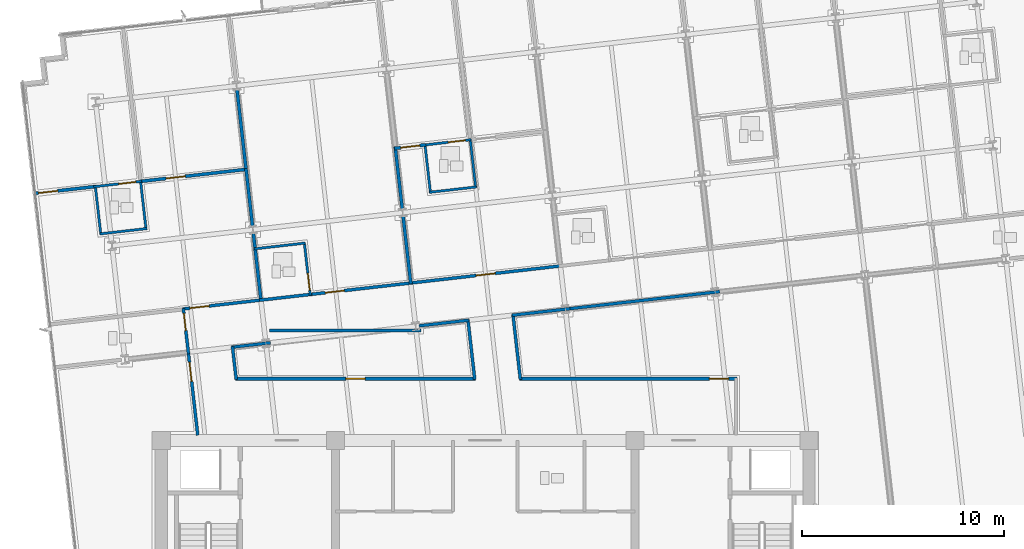
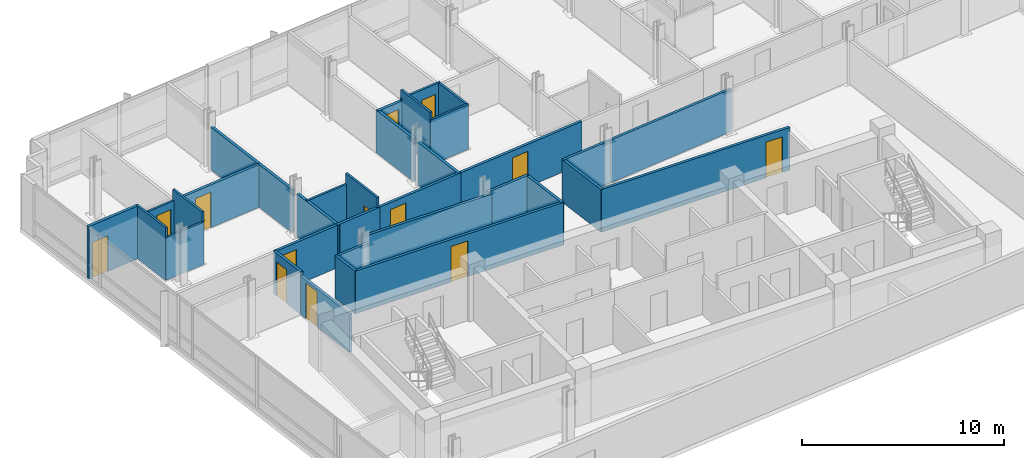
# One storey, part 9 of 17: 34 walls, 13 doors, 13 openings.
"""IFC4 building model written with IfcOpenShell, lengths in metres."""

import ifcopenshell
import ifcopenshell.guid

model = None  # the IFC model being written
_history = None  # IfcOwnerHistory: only IFC2X3 demands one
_inside = {}  # id of a spatial element -> (the spatial element, [elements in it])
_under = {}  # id of a project, library or spatial element -> (it, [spatial elements below it])
_declared = {}  # id of a project -> (the project, [libraries it declares])
_typed = {}  # id of a type object -> (the type object, [elements of that type])
_made_of = {}  # id of a material, layer set ... -> (it, [elements and type objects made of it])


def new_model(schema):
    """Start an empty IFC model of exactly this schema.

    Asked for "IFC4X3", IfcOpenShell would pick the latest addendum, in which some entities
    have other attributes; the version numbers below select the first issue.
    IFC2X3 requires an IfcOwnerHistory on every rooted entity: one is made here for all.
    """
    global model, _history
    if schema == "IFC4X3":
        model = ifcopenshell.file(schema_version=(4, 3, 0, 0))
    else:
        model = ifcopenshell.file(schema=schema)
    _inside.clear()
    _under.clear()
    _declared.clear()
    _typed.clear()
    _made_of.clear()
    _history = None
    if model.schema == "IFC2X3":
        org = make("IfcOrganization", Name="unknown")
        user = make(
            "IfcPersonAndOrganization",
            ThePerson=make("IfcPerson", FamilyName="unknown"),
            TheOrganization=org,
        )
        app = make(
            "IfcApplication",
            ApplicationDeveloper=org,
            Version="unknown",
            ApplicationFullName="unknown",
            ApplicationIdentifier="unknown",
        )
        _history = make(
            "IfcOwnerHistory",
            OwningUser=user,
            OwningApplication=app,
            ChangeAction="ADDED",
            CreationDate=0,
        )
    return model


def make(cls, **values):
    """One entity of the class cls with the attributes given. An attribute that is None is left unset."""
    return model.create_entity(
        cls, **{name: value for name, value in values.items() if value is not None}
    )


def rooted(cls, **values):
    """An entity with a GlobalId (a new one), such as an element, a storey or a relation."""
    return make(cls, GlobalId=ifcopenshell.guid.new(), OwnerHistory=_history, **values)


def si_unit(unit_type, name, prefix=None):
    """IfcSIUnit, for example si_unit("LENGTHUNIT", "METRE", prefix="MILLI")."""
    return make("IfcSIUnit", UnitType=unit_type, Prefix=prefix, Name=name)


def assignment(units):
    """IfcUnitAssignment: the units of a project."""
    return None if units is None else make("IfcUnitAssignment", Units=units)


def point(xyz):
    """IfcCartesianPoint."""
    return None if xyz is None else make("IfcCartesianPoint", Coordinates=xyz)


def direction(xyz):
    """IfcDirection."""
    return None if xyz is None else make("IfcDirection", DirectionRatios=xyz)


def frame(location, z_axis=None, x_axis=None):
    """IfcAxis2Placement3D, a coordinate frame: its origin and axes. An axis left out is left unset."""
    return make(
        "IfcAxis2Placement3D",
        Location=point(location),
        Axis=direction(z_axis),
        RefDirection=direction(x_axis),
    )


def frame_2d(location, x_axis=None):
    """IfcAxis2Placement2D, a coordinate frame in the plane: its origin and x axis."""
    return make(
        "IfcAxis2Placement2D", Location=point(location), RefDirection=direction(x_axis)
    )


def origin():
    """The frame at (0, 0, 0) with its axes left unset."""
    return frame((0.0, 0.0, 0.0))


def place(relative_to, where):
    """IfcLocalPlacement: puts the frame where relative to a parent placement (None: the world)."""
    return make(
        "IfcLocalPlacement", PlacementRelTo=relative_to, RelativePlacement=where
    )


def context(
    kind, dimensions, precision=None, world=None, true_north=None, identifier=None
):
    """IfcGeometricRepresentationContext, for example the 3D "Model" context."""
    return make(
        "IfcGeometricRepresentationContext",
        ContextIdentifier=identifier,
        ContextType=kind,
        CoordinateSpaceDimension=dimensions,
        Precision=precision,
        WorldCoordinateSystem=world,
        TrueNorth=true_north,
    )


def subcontext(parent, identifier, kind, view, scale=None):
    """IfcGeometricRepresentationSubContext, for example "Body" below "Model"."""
    return make(
        "IfcGeometricRepresentationSubContext",
        ContextIdentifier=identifier,
        ContextType=kind,
        ParentContext=parent,
        TargetScale=scale,
        TargetView=view,
    )


def project(units=None, contexts=None):
    """IfcProject with its units and contexts."""
    return rooted(
        "IfcProject",
        Name="project",
        RepresentationContexts=contexts,
        UnitsInContext=assignment(units),
    )


def spatial(cls, under=None, at=None, **own):
    """A site, building, storey or space (cls), placed at a placement, below another one or the project."""
    s = rooted(cls, ObjectPlacement=at, **own)
    if under is not None:
        _under.setdefault(under.id(), (under, []))[1].append(s)
    return s


def profile(cls, at=None, kind="AREA", **sizes):
    """A parametric profile (cls). Its sizes go by their IFC names, for example OverallWidth=200.0."""
    return make(cls, ProfileType=kind, Position=at, **sizes)


def rectangle(**sizes):
    """IfcRectangleProfileDef."""
    return profile("IfcRectangleProfileDef", **sizes)


def extrude(swept, where, along, depth):
    """IfcExtrudedAreaSolid: the profile swept, set in the frame where, extruded along a direction by depth."""
    return make(
        "IfcExtrudedAreaSolid",
        SweptArea=swept,
        Position=where,
        ExtrudedDirection=direction(along),
        Depth=depth,
    )


def shape(context_of_items, identifier, shape_type, items):
    """IfcShapeRepresentation: the items that make up one representation, for example the "Body"."""
    return make(
        "IfcShapeRepresentation",
        ContextOfItems=context_of_items,
        RepresentationIdentifier=identifier,
        RepresentationType=shape_type,
        Items=items,
    )


def material(Name=None, Category=None):
    """IfcMaterial."""
    return make("IfcMaterial", Name=Name, Category=Category)


def layer(
    of_material, thickness, ventilated=None, Name=None, Category=None, Priority=None
):
    """IfcMaterialLayer: one layer of a wall or slab, of a material (None: an air gap)."""
    return make(
        "IfcMaterialLayer",
        Material=of_material,
        LayerThickness=thickness,
        IsVentilated=ventilated,
        Name=Name,
        Category=Category,
        Priority=Priority,
    )


def layer_set(layers, Name=None):
    """IfcMaterialLayerSet."""
    return make("IfcMaterialLayerSet", MaterialLayers=layers, LayerSetName=Name)


def made_of(thing, what):
    """Note that an element or type object is made of a material, layer set ...; save() writes the relation."""
    if what is not None:
        _made_of.setdefault(what.id(), (what, []))[1].append(thing)
    return thing


def type_object(cls, material=None, **own):
    """A type object (cls), such as IfcWallType, which elements share."""
    return made_of(rooted(cls, **own), material)


def element(
    cls,
    number,
    at=None,
    inside=None,
    cuts=None,
    type_object=None,
    material=None,
    context=None,
    identifier="Body",
    shape_type=None,
    held_by="IfcProductDefinitionShape",
    body=None,
    shapes=None,
    **own,
):
    """One element of the class cls, such as IfcWall. Its Tag is "e" and its number.

    at: its placement. inside: the storey or other place that contains it. cuts: it is an
    opening in that element (IfcRelVoidsElement). A single representation is given by context,
    identifier, shape_type and body (its items); several are given by shapes. held_by: the class
    of the entity that holds the representations. save() writes the other relations.
    """
    e = rooted(cls, Tag="e%d" % number, ObjectPlacement=at, **own)
    if body is not None:
        shapes = [shape(context, identifier, shape_type, body)]
    if shapes is not None:
        e.Representation = make(held_by, Representations=shapes)
    if inside is not None:
        _inside.setdefault(inside.id(), (inside, []))[1].append(e)
    if cuts is not None:
        rooted(
            "IfcRelVoidsElement", RelatingBuildingElement=cuts, RelatedOpeningElement=e
        )
    if type_object is not None:
        _typed.setdefault(type_object.id(), (type_object, []))[1].append(e)
    return made_of(e, material)


def fill(opening, filler):
    """IfcRelFillsElement: the door or window that sits in an opening."""
    return rooted(
        "IfcRelFillsElement",
        RelatingOpeningElement=opening,
        RelatedBuildingElement=filler,
    )


def aggregate(whole, parts):
    """IfcRelAggregates: a whole, such as a stair, and the parts it consists of."""
    return rooted("IfcRelAggregates", RelatingObject=whole, RelatedObjects=parts)


def save(model, path):
    """Write the relations noted so far, then the file.

    IfcRelAggregates (storeys below a building ...), IfcRelContainedInSpatialStructure (elements
    in a storey), IfcRelDefinesByType, IfcRelAssociatesMaterial and IfcRelDeclares: one each for
    every whole, place, type object, material and project.
    """
    for whole, parts in _under.values():
        aggregate(whole, parts)
    for where, things in _inside.values():
        rooted(
            "IfcRelContainedInSpatialStructure",
            RelatedElements=things,
            RelatingStructure=where,
        )
    for kind, things in _typed.values():
        rooted("IfcRelDefinesByType", RelatedObjects=things, RelatingType=kind)
    for what, things in _made_of.values():
        rooted("IfcRelAssociatesMaterial", RelatedObjects=things, RelatingMaterial=what)
    for by, libraries in _declared.values():
        rooted("IfcRelDeclares", RelatingContext=by, RelatedDefinitions=libraries)
    model.write(path)


model = new_model("IFC4")

# Units and contexts
model_context = context("Model", 3, precision=1e-05, world=origin(), true_north=direction((0.0, 1.0)))
body_context = subcontext(model_context, "Body", "Model", "MODEL_VIEW")
ifc_project = project(units=[si_unit("LENGTHUNIT", "METRE"), si_unit("AREAUNIT", "SQUARE_METRE"), si_unit("VOLUMEUNIT", "CUBIC_METRE"), si_unit("PLANEANGLEUNIT", "RADIAN"), si_unit("MASSUNIT", "GRAM", prefix="KILO")], contexts=[model_context])

# Site, building, storey
site_placement = place(None, origin())
site = spatial("IfcSite", under=ifc_project, at=site_placement, CompositionType="ELEMENT")
building_placement = place(site_placement, origin())
building = spatial("IfcBuilding", under=site, at=building_placement, Name="Solmavex Isthmus Hotel", CompositionType="ELEMENT")
storey_placement = place(building_placement, frame((0.0, 0.0, 198.60009765625)))
storey = spatial("IfcBuildingStorey", under=building, at=storey_placement, Name="L53", CompositionType="ELEMENT", Elevation=198.60009765625)

# Wall, opening, door
ifc_material_1 = material(Name="Gypsum plasterboard lining", Category="gypsum")
ifc_layer_1 = layer(ifc_material_1, 0.159912109375)
ifc_layer_set_1 = layer_set([ifc_layer_1], Name="Gypsum plasterboard lining")
wall_type_1 = type_object("IfcWallType", Name="IW-COMP-160", PredefinedType="PARTITIONING", material=ifc_layer_set_1)
wall_1_placement = place(storey_placement, frame((-22.273193359375, 9.701171875, 0.0), z_axis=(0.0, 0.0, 1.0), x_axis=(0.993565909035, 0.113255394587, 0.0)))
wall_1 = element("IfcWall", 1, at=wall_1_placement, inside=storey, type_object=wall_type_1, Name="Interior Partition Wall W-L53-P025", PredefinedType="PARTITIONING", context=body_context, shape_type="SweptSolid", body=[
    extrude(rectangle(XDim=3.073974609375, YDim=0.159912109375, at=frame_2d((1.537109375, 0.0))), origin(), (0.0, 0.0, 1.0), 3.18994140625),
])
opening_1_placement = place(wall_1_placement, frame((0.2099609375, 0.0, 0.0)))
opening_1 = element("IfcOpeningElement", 2, at=opening_1_placement, cuts=wall_1, Name="Opening ID-C095", PredefinedType="OPENING", context=body_context, shape_type="SweptSolid", body=[
    extrude(rectangle(XDim=0.949951171875, YDim=2.14990234375, at=frame_2d((0.47509765625, 1.074951171875))), frame((0.0, 0.08984375, 0.0), z_axis=(0.0, -1.0, 0.0), x_axis=(1.0, 0.0, 0.0)), (0.0, 0.0, 1.0), 0.179931640625),
])
ifc_material_2 = material(Name="Hardwood timber", Category="wood")
door_type_1 = type_object("IfcDoorType", Name="IDR-FD60-0950", OperationType="NOTDEFINED", PredefinedType="DOOR", material=ifc_material_2)
door_1_placement = place(opening_1_placement, origin())
door_1 = element("IfcDoor", 3, at=door_1_placement, inside=storey, type_object=door_type_1, Name="Diplomatic Suite Master Bedroom Door L53-02", OperationType="SINGLE_SWING_RIGHT", OverallHeight=2.14990234375, OverallWidth=0.949951171875, PredefinedType="DOOR", context=body_context, shape_type="SweptSolid", body=[
    extrude(rectangle(XDim=0.949951171875, YDim=2.14990234375, at=frame_2d((0.47509765625, 1.074951171875))), frame((0.0, 0.02490234375, 0.0), z_axis=(0.0, -1.0, 0.0), x_axis=(1.0, 0.0, 0.0)), (0.0, 0.0, 1.0), 0.050048828125),
])
fill(opening_1, door_1)

wall_2_placement = place(storey_placement, frame((-17.06298828125, 10.294921875, 0.0), z_axis=(0.0, 0.0, 1.0), x_axis=(0.993570013337, 0.113219382606, 0.0)))
wall_2 = element("IfcWall", 4, at=wall_2_placement, inside=storey, type_object=wall_type_1, Name="Interior Partition Wall W-L53-P026", PredefinedType="PARTITIONING", context=body_context, shape_type="SweptSolid", body=[
    extrude(rectangle(XDim=5.323974609375, YDim=0.159912109375, at=frame_2d((2.662109375, 0.0))), origin(), (0.0, 0.0, 1.0), 2.572265625),
])
opening_2_placement = place(wall_2_placement, frame((1.305908203125, 0.0, 0.0)))
opening_2 = element("IfcOpeningElement", 5, at=opening_2_placement, cuts=wall_2, Name="Opening ID-C095", PredefinedType="OPENING", context=body_context, shape_type="SweptSolid", body=[
    extrude(rectangle(XDim=0.949951171875, YDim=2.14990234375, at=frame_2d((0.47509765625, 1.074951171875))), frame((0.0, 0.08984375, 0.0), z_axis=(0.0, -1.0, 0.0), x_axis=(1.0, 0.0, 0.0)), (0.0, 0.0, 1.0), 0.179931640625),
])
door_2_placement = place(opening_2_placement, origin())
door_2 = element("IfcDoor", 6, at=door_2_placement, inside=storey, type_object=door_type_1, Name="Diplomatic Suite Panorama Sitting Study Door L53-03", OperationType="SINGLE_SWING_LEFT", OverallHeight=2.14990234375, OverallWidth=0.949951171875, PredefinedType="DOOR", context=body_context, shape_type="SweptSolid", body=[
    extrude(rectangle(XDim=0.949951171875, YDim=2.14990234375, at=frame_2d((0.47509765625, 1.074951171875))), frame((0.0, 0.02490234375, 0.0), z_axis=(0.0, -1.0, 0.0), x_axis=(1.0, 0.0, 0.0)), (0.0, 0.0, 1.0), 0.050048828125),
])
fill(opening_2, door_2)

# Walls
wall_3_placement = place(storey_placement, frame((-11.817626953125, 10.932861328125, 0.0), z_axis=(0.0, 0.0, 1.0), x_axis=(0.113219576825, -0.993569991205, 0.0)))
element("IfcWall", 7, at=wall_3_placement, inside=storey, type_object=wall_type_1, Name="Interior Partition Wall W-L53-P030", PredefinedType="PARTITIONING", context=body_context, shape_type="SweptSolid", body=[
    extrude(rectangle(XDim=2.863525390625, YDim=0.159912109375, at=frame_2d((1.431640625, 0.0))), origin(), (0.0, 0.0, 1.0), 2.572265625),
])
wall_4_placement = place(storey_placement, frame((-11.453369140625, 7.737060546875, 0.0), z_axis=(0.0, 0.0, 1.0), x_axis=(0.113229088195, -0.993568907317, 0.0)))
element("IfcWall", 8, at=wall_4_placement, inside=storey, type_object=wall_type_1, Name="Interior Partition Wall W-L53-P031", PredefinedType="PARTITIONING", context=body_context, shape_type="SweptSolid", body=[
    extrude(rectangle(XDim=3.361572265625, YDim=0.159912109375, at=frame_2d((1.6806640625, 0.0))), origin(), (0.0, 0.0, 1.0), 2.572265625),
])
wall_5_placement = place(storey_placement, frame((-12.262939453125, 14.84326171875, 0.0), z_axis=(0.0, 0.0, 1.0), x_axis=(0.11320023419, -0.993572195152, 0.0)))
element("IfcWall", 9, at=wall_5_placement, inside=storey, type_object=wall_type_1, Name="Interior Partition Wall W-L53-P036", PredefinedType="PARTITIONING", context=body_context, shape_type="SweptSolid", body=[
    extrude(rectangle(XDim=4.015869140625, YDim=0.159912109375, at=frame_2d((2.0078125, 0.0))), origin(), (0.0, 0.0, 1.0), 2.572265625),
])
wall_6_placement = place(storey_placement, frame((-4.44677734375, 12.01611328125, 0.0), z_axis=(0.0, 0.0, 1.0), x_axis=(0.113200718534, -0.993572139969, 0.0)))
element("IfcWall", 10, at=wall_6_placement, inside=storey, type_object=wall_type_1, Name="Interior Partition Wall W-L53-P039", PredefinedType="PARTITIONING", context=body_context, shape_type="SweptSolid", body=[
    extrude(rectangle(XDim=3.105712890625, YDim=0.159912109375, at=frame_2d((1.552734375, 0.0))), origin(), (0.0, 0.0, 1.0), 2.572265625),
])
wall_7_placement = place(storey_placement, frame((-4.05517578125, 8.580078125, 0.0), z_axis=(0.0, 0.0, 1.0), x_axis=(0.113149223935, -0.993578005555, 0.0)))
element("IfcWall", 11, at=wall_7_placement, inside=storey, type_object=wall_type_1, Name="Interior Partition Wall W-L53-P040", PredefinedType="PARTITIONING", context=body_context, shape_type="SweptSolid", body=[
    extrude(rectangle(XDim=3.361572265625, YDim=0.159912109375, at=frame_2d((1.6806640625, 0.0))), origin(), (0.0, 0.0, 1.0), 2.572265625),
])

# Wall, opening, door
wall_8_placement = place(storey_placement, frame((-4.477294921875, 11.93017578125, 0.0), z_axis=(0.0, 0.0, 1.0), x_axis=(0.993573147212, 0.113191877531, 0.0)))
wall_8 = element("IfcWall", 12, at=wall_8_placement, inside=storey, type_object=wall_type_1, Name="Interior Partition Wall W-L53-P043", PredefinedType="PARTITIONING", context=body_context, shape_type="SweptSolid", body=[
    extrude(rectangle(XDim=1.552978515625, YDim=0.159912109375, at=frame_2d((0.7763671875, 0.0))), origin(), (0.0, 0.0, 1.0), 2.572265625),
])
opening_3_placement = place(wall_8_placement, frame((0.301513671875, 0.0, 0.0)))
opening_3 = element("IfcOpeningElement", 13, at=opening_3_placement, cuts=wall_8, Name="Opening ID-C095", PredefinedType="OPENING", context=body_context, shape_type="SweptSolid", body=[
    extrude(rectangle(XDim=0.949951171875, YDim=2.14990234375, at=frame_2d((0.47509765625, 1.074951171875))), frame((0.0, 0.08984375, 0.0), z_axis=(0.0, -1.0, 0.0), x_axis=(1.0, 0.0, 0.0)), (0.0, 0.0, 1.0), 0.179931640625),
])
door_3_placement = place(opening_3_placement, origin())
door_3 = element("IfcDoor", 14, at=door_3_placement, inside=storey, type_object=door_type_1, Name="Diplomatic Hospitality Suite Bedroom Door L53-08", OperationType="SINGLE_SWING_RIGHT", OverallHeight=2.14990234375, OverallWidth=0.949951171875, PredefinedType="DOOR", context=body_context, shape_type="SweptSolid", body=[
    extrude(rectangle(XDim=0.949951171875, YDim=2.14990234375, at=frame_2d((0.47509765625, 1.074951171875))), frame((0.0, 0.02490234375, 0.0), z_axis=(0.0, -1.0, 0.0), x_axis=(1.0, 0.0, 0.0)), (0.0, 0.0, 1.0), 0.050048828125),
])
fill(opening_3, door_3)

ifc_layer_2 = layer(ifc_material_1, 0.14990234375)
ifc_layer_set_2 = layer_set([ifc_layer_2], Name="Gypsum plasterboard lining")
wall_type_2 = type_object("IfcWallType", Name="IW-CORR-150", PredefinedType="PARTITIONING", material=ifc_layer_set_2)
wall_9_placement = place(storey_placement, frame((-14.950439453125, 3.99560546875, 0.0), z_axis=(0.0, 0.0, 1.0), x_axis=(0.993575504711, 0.11317118201, 0.0)))
wall_9 = element("IfcWall", 15, at=wall_9_placement, inside=storey, type_object=wall_type_2, Name="Interior Partition Wall W-L53-P001", PredefinedType="PARTITIONING", context=body_context, shape_type="SweptSolid", body=[
    extrude(rectangle(XDim=3.980224609375, YDim=0.14990234375, at=frame_2d((1.990234375, 0.0))), origin(), (0.0, 0.0, 1.0), 2.572265625),
])
opening_4_placement = place(wall_9_placement, frame((0.368408203125, 0.0, 0.0)))
opening_4 = element("IfcOpeningElement", 16, at=opening_4_placement, cuts=wall_9, Name="Opening ID-C095", PredefinedType="OPENING", context=body_context, shape_type="SweptSolid", body=[
    extrude(rectangle(XDim=0.949951171875, YDim=2.14990234375, at=frame_2d((0.47509765625, 1.074951171875))), frame((0.0, 0.0849609375, 0.0), z_axis=(0.0, -1.0, 0.0), x_axis=(1.0, 0.0, 0.0)), (0.0, 0.0, 1.0), 0.169921875),
])
door_4_placement = place(opening_4_placement, origin())
door_4 = element("IfcDoor", 17, at=door_4_placement, inside=storey, type_object=door_type_1, Name="Diplomatic Suite Living Salon Door L53-01", OperationType="SINGLE_SWING_LEFT", OverallHeight=2.14990234375, OverallWidth=0.949951171875, PredefinedType="DOOR", context=body_context, shape_type="SweptSolid", body=[
    extrude(rectangle(XDim=0.949951171875, YDim=2.14990234375, at=frame_2d((0.47509765625, 1.074951171875))), frame((0.0, 0.02490234375, 0.0), z_axis=(0.0, -1.0, 0.0), x_axis=(1.0, 0.0, 0.0)), (0.0, 0.0, 1.0), 0.050048828125),
])
fill(opening_4, door_4)

wall_10_placement = place(storey_placement, frame((-8.724609375, 4.704833984375, 0.0), z_axis=(0.0, 0.0, 1.0), x_axis=(0.993569374626, 0.113224987546, 0.0)))
wall_10 = element("IfcWall", 18, at=wall_10_placement, inside=storey, type_object=wall_type_2, Name="Interior Partition Wall W-L53-P002", PredefinedType="PARTITIONING", context=body_context, shape_type="SweptSolid", body=[
    extrude(rectangle(XDim=5.159912109375, YDim=0.14990234375, at=frame_2d((2.580078125, 0.0))), origin(), (0.0, 0.0, 1.0), 2.572265625),
])
opening_5_placement = place(wall_10_placement, frame((0.82470703125, 0.0, 0.0)))
opening_5 = element("IfcOpeningElement", 19, at=opening_5_placement, cuts=wall_10, Name="Opening ID-C095", PredefinedType="OPENING", context=body_context, shape_type="SweptSolid", body=[
    extrude(rectangle(XDim=0.949951171875, YDim=2.14990234375, at=frame_2d((0.47509765625, 1.074951171875))), frame((0.0, 0.0849609375, 0.0), z_axis=(0.0, -1.0, 0.0), x_axis=(1.0, 0.0, 0.0)), (0.0, 0.0, 1.0), 0.169921875),
])
door_5_placement = place(opening_5_placement, origin())
door_5 = element("IfcDoor", 20, at=door_5_placement, inside=storey, type_object=door_type_1, Name="Premier Suite Door L53-05", OperationType="SINGLE_SWING_LEFT", OverallHeight=2.14990234375, OverallWidth=0.949951171875, PredefinedType="DOOR", context=body_context, shape_type="SweptSolid", body=[
    extrude(rectangle(XDim=0.949951171875, YDim=2.14990234375, at=frame_2d((0.47509765625, 1.074951171875))), frame((0.0, 0.02490234375, 0.0), z_axis=(0.0, -1.0, 0.0), x_axis=(1.0, 0.0, 0.0)), (0.0, 0.0, 1.0), 0.050048828125),
])
fill(opening_5, door_5)

# Wall
wall_11_placement = place(storey_placement, frame((-11.158935546875, 4.427490234375, 0.0), z_axis=(0.0, 0.0, 1.0), x_axis=(0.993572349416, 0.113198880193, 0.0)))
element("IfcWall", 21, at=wall_11_placement, inside=storey, type_object=wall_type_2, Name="Interior Partition Wall W-L53-P003", PredefinedType="PARTITIONING", context=body_context, shape_type="SweptSolid", body=[
    extrude(rectangle(XDim=2.614013671875, YDim=0.14990234375, at=frame_2d((1.30712890625, 0.0))), origin(), (0.0, 0.0, 1.0), 2.572265625),
])

# Wall, opening, door
wall_12_placement = place(storey_placement, frame((-3.7607421875, 5.2705078125, 0.0), z_axis=(0.0, 0.0, 1.0), x_axis=(0.993570360949, 0.113216332056, 0.0)))
wall_12 = element("IfcWall", 22, at=wall_12_placement, inside=storey, type_object=wall_type_2, Name="Interior Partition Wall W-L53-P004", PredefinedType="PARTITIONING", context=body_context, shape_type="SweptSolid", body=[
    extrude(rectangle(XDim=7.60986328125, YDim=0.14990234375, at=frame_2d((3.804931640625, 0.0))), origin(), (0.0, 0.0, 1.0), 2.572265625),
])
opening_6_placement = place(wall_12_placement, frame((3.330078125, 0.0, 0.0)))
opening_6 = element("IfcOpeningElement", 23, at=opening_6_placement, cuts=wall_12, Name="Opening ID-C095", PredefinedType="OPENING", context=body_context, shape_type="SweptSolid", body=[
    extrude(rectangle(XDim=0.949951171875, YDim=2.14990234375, at=frame_2d((0.47509765625, 1.074951171875))), frame((0.0, 0.0849609375, 0.0), z_axis=(0.0, -1.0, 0.0), x_axis=(1.0, 0.0, 0.0)), (0.0, 0.0, 1.0), 0.169921875),
])
door_6_placement = place(opening_6_placement, origin())
door_6 = element("IfcDoor", 24, at=door_6_placement, inside=storey, type_object=door_type_1, Name="Diplomatic Hospitality Suite Reception Foyer Door L53-07", OperationType="SINGLE_SWING_LEFT", OverallHeight=2.14990234375, OverallWidth=0.949951171875, PredefinedType="DOOR", context=body_context, shape_type="SweptSolid", body=[
    extrude(rectangle(XDim=0.949951171875, YDim=2.14990234375, at=frame_2d((0.47509765625, 1.074951171875))), frame((0.0, 0.02490234375, 0.0), z_axis=(0.0, -1.0, 0.0), x_axis=(1.0, 0.0, 0.0)), (0.0, 0.0, 1.0), 0.050048828125),
])
fill(opening_6, door_6)

wall_13_placement = place(storey_placement, frame((-14.657958984375, 1.782470703125, 0.0), z_axis=(0.0, 0.0, 1.0), x_axis=(-0.113179685294, 0.993574536125, 0.0)))
wall_13 = element("IfcWall", 25, at=wall_13_placement, inside=storey, type_object=wall_type_2, Name="Interior Partition Wall W-L53-P009", PredefinedType="PARTITIONING", context=body_context, shape_type="SweptSolid", body=[
    extrude(rectangle(XDim=2.251953125, YDim=0.14990234375, at=frame_2d((1.1259765625, 0.0))), origin(), (0.0, 0.0, 1.0), 2.572265625),
])
opening_7_placement = place(wall_13_placement, frame((1.156982421875, 0.0, 0.0)))
opening_7 = element("IfcOpeningElement", 26, at=opening_7_placement, cuts=wall_13, Name="Opening ID-R085", PredefinedType="OPENING", context=body_context, shape_type="SweptSolid", body=[
    extrude(rectangle(XDim=0.85009765625, YDim=2.050048828125, at=frame_2d((0.425048828125, 1.02490234375))), frame((0.0, 0.0849609375, 0.0), z_axis=(0.0, -1.0, 0.0), x_axis=(1.0, 0.0, 0.0)), (0.0, 0.0, 1.0), 0.169921875),
])
ifc_material_3 = material(Name="Steel ASTM A500 Grade C", Category="steel")
door_type_2 = type_object("IfcDoorType", Name="IDR-FD60-0850", OperationType="NOTDEFINED", PredefinedType="DOOR", material=ifc_material_3)
door_7_placement = place(opening_7_placement, frame((0.85009765625, 0.0, 0.0), z_axis=(0.0, 0.0, 1.0), x_axis=(-1.0, 0.0, 0.0)))
door_7 = element("IfcDoor", 27, at=door_7_placement, inside=storey, type_object=door_type_2, Name="Accessible Public Restroom WC Door L53-21", OperationType="SINGLE_SWING_LEFT", OverallHeight=2.050048828125, OverallWidth=0.85009765625, PredefinedType="DOOR", context=body_context, shape_type="SweptSolid", body=[
    extrude(rectangle(XDim=0.85009765625, YDim=2.050048828125, at=frame_2d((0.425048828125, 1.02490234375))), frame((0.0, 0.02490234375, 0.0), z_axis=(0.0, -1.0, 0.0), x_axis=(1.0, 0.0, 0.0)), (0.0, 0.0, 1.0), 0.050048828125),
])
fill(opening_7, door_7)

# Walls
wall_14_placement = place(storey_placement, frame((-10.6064453125, 2.32666015625, 0.0), z_axis=(0.0, 0.0, 1.0), x_axis=(-0.993564486687, -0.113267871856, 0.0)))
element("IfcWall", 28, at=wall_14_placement, inside=storey, type_object=wall_type_2, Name="Interior Partition Wall W-L53-P011", PredefinedType="PARTITIONING", context=body_context, shape_type="SweptSolid", body=[
    extrude(rectangle(XDim=1.927001953125, YDim=0.14990234375, at=frame_2d((0.96337890625, 0.0))), origin(), (0.0, 0.0, 1.0), 2.572265625),
])
wall_15_placement = place(storey_placement, frame((-12.48583984375, 2.15283203125, 0.0), z_axis=(0.0, 0.0, 1.0), x_axis=(0.113121752139, -0.993581133674, 0.0)))
element("IfcWall", 29, at=wall_15_placement, inside=storey, type_object=wall_type_2, Name="Interior Partition Wall W-L53-P012", PredefinedType="PARTITIONING", context=body_context, shape_type="SweptSolid", body=[
    extrude(rectangle(XDim=1.653076171875, YDim=0.14990234375, at=frame_2d((0.82666015625, 0.0))), origin(), (0.0, 0.0, 1.0), 2.572265625),
])

# Wall, opening, door
wall_16_placement = place(storey_placement, frame((-12.34326171875, 0.550048828125, 0.0), z_axis=(0.0, 0.0, 1.0), x_axis=(1.0, 0.0, 0.0)))
wall_16 = element("IfcWall", 30, at=wall_16_placement, inside=storey, type_object=wall_type_2, Name="Interior Partition Wall W-L53-P013", PredefinedType="PARTITIONING", context=body_context, shape_type="SweptSolid", body=[
    extrude(rectangle(XDim=11.86279296875, YDim=0.14990234375, at=frame_2d((5.931396484375, 0.0))), origin(), (0.0, 0.0, 1.0), 2.572265625),
])
opening_8_placement = place(wall_16_placement, frame((5.456298828125, 0.0, 0.0)))
opening_8 = element("IfcOpeningElement", 31, at=opening_8_placement, cuts=wall_16, Name="Opening ID-C095", PredefinedType="OPENING", context=body_context, shape_type="SweptSolid", body=[
    extrude(rectangle(XDim=0.949951171875, YDim=2.14990234375, at=frame_2d((0.47509765625, 1.074951171875))), frame((0.0, 0.0849609375, 0.0), z_axis=(0.0, -1.0, 0.0), x_axis=(1.0, 0.0, 0.0)), (0.0, 0.0, 1.0), 0.169921875),
])
door_8_placement = place(opening_8_placement, origin())
door_8 = element("IfcDoor", 32, at=door_8_placement, inside=storey, type_object=door_type_1, Name="Executive Meeting Room Door L53-23", OperationType="SINGLE_SWING_LEFT", OverallHeight=2.14990234375, OverallWidth=0.949951171875, PredefinedType="DOOR", context=body_context, shape_type="SweptSolid", body=[
    extrude(rectangle(XDim=0.949951171875, YDim=2.14990234375, at=frame_2d((0.47509765625, 1.074951171875))), frame((0.0, 0.02490234375, 0.0), z_axis=(0.0, -1.0, 0.0), x_axis=(1.0, 0.0, 0.0)), (0.0, 0.0, 1.0), 0.050048828125),
])
fill(opening_8, door_8)

# Walls
wall_17_placement = place(storey_placement, frame((-0.515869140625, 0.51025390625, 0.0), z_axis=(0.0, 0.0, 1.0), x_axis=(-0.113283799092, 0.993562670828, 0.0)))
element("IfcWall", 33, at=wall_17_placement, inside=storey, type_object=wall_type_2, Name="Interior Partition Wall W-L53-P014", PredefinedType="PARTITIONING", context=body_context, shape_type="SweptSolid", body=[
    extrude(rectangle(XDim=2.987060546875, YDim=0.14990234375, at=frame_2d((1.49365234375, 0.0))), origin(), (0.0, 0.0, 1.0), 2.572265625),
])
wall_18_placement = place(storey_placement, frame((-0.809814453125, 3.44287109375, 0.0), z_axis=(0.0, 0.0, 1.0), x_axis=(-0.993568355418, -0.113233930922, 0.0)))
element("IfcWall", 34, at=wall_18_placement, inside=storey, type_object=wall_type_2, Name="Interior Partition Wall W-L53-P015", PredefinedType="PARTITIONING", context=body_context, shape_type="SweptSolid", body=[
    extrude(rectangle(XDim=2.466552734375, YDim=0.14990234375, at=frame_2d((1.2333984375, 0.0))), origin(), (0.0, 0.0, 1.0), 2.572265625),
])
wall_19_placement = place(storey_placement, frame((-3.180908203125, 2.9287109375, 0.0), z_axis=(0.0, 0.0, 1.0), x_axis=(-1.0, 0.0, 0.0)))
element("IfcWall", 35, at=wall_19_placement, inside=storey, type_object=wall_type_2, Name="Interior Partition Wall W-L53-P016", PredefinedType="PARTITIONING", context=body_context, shape_type="SweptSolid", body=[
    extrude(rectangle(XDim=7.477783203125, YDim=0.14990234375, at=frame_2d((3.73876953125, 0.0))), origin(), (0.0, 0.0, 1.0), 2.572265625),
])

# Wall, opening, door
wall_20_placement = place(storey_placement, frame((-14.19970703125, -2.23974609375, 0.0), z_axis=(0.0, 0.0, 1.0), x_axis=(-0.11319839611, 0.993572404568, 0.0)))
wall_20 = element("IfcWall", 36, at=wall_20_placement, inside=storey, type_object=wall_type_2, Name="Interior Partition Wall W-L53-P017", PredefinedType="PARTITIONING", context=body_context, shape_type="SweptSolid", body=[
    extrude(rectangle(XDim=4.212158203125, YDim=0.14990234375, at=frame_2d((2.10595703125, 0.0))), origin(), (0.0, 0.0, 1.0), 2.324951171875),
])
opening_9_placement = place(wall_20_placement, frame((2.67236328125, 0.0, 0.0)))
opening_9 = element("IfcOpeningElement", 37, at=opening_9_placement, cuts=wall_20, Name="Opening ID-C095", PredefinedType="OPENING", context=body_context, shape_type="SweptSolid", body=[
    extrude(rectangle(XDim=0.949951171875, YDim=2.14990234375, at=frame_2d((0.47509765625, 1.074951171875))), frame((0.0, 0.0849609375, 0.0), z_axis=(0.0, -1.0, 0.0), x_axis=(1.0, 0.0, 0.0)), (0.0, 0.0, 1.0), 0.169921875),
])
door_9_placement = place(opening_9_placement, frame((0.949951171875, 0.0, 0.0), z_axis=(0.0, 0.0, 1.0), x_axis=(-1.0, 0.0, 0.0)))
door_9 = element("IfcDoor", 38, at=door_9_placement, inside=storey, type_object=door_type_1, Name="Club Lounge Door L53-24", OperationType="SINGLE_SWING_RIGHT", OverallHeight=2.14990234375, OverallWidth=0.949951171875, PredefinedType="DOOR", context=body_context, shape_type="SweptSolid", body=[
    extrude(rectangle(XDim=0.949951171875, YDim=2.14990234375, at=frame_2d((0.47509765625, 1.074951171875))), frame((0.0, 0.02490234375, 0.0), z_axis=(0.0, -1.0, 0.0), x_axis=(1.0, 0.0, 0.0)), (0.0, 0.0, 1.0), 0.050048828125),
])
fill(opening_9, door_9)

# Walls
wall_21_placement = place(storey_placement, frame((4.18994140625, 4.012451171875, 0.0), z_axis=(0.0, 0.0, 1.0), x_axis=(-0.99356987962, -0.113220556049, 0.0)))
element("IfcWall", 39, at=wall_21_placement, inside=storey, type_object=wall_type_2, Name="Interior Partition Wall W-L53-P018", PredefinedType="PARTITIONING", context=body_context, shape_type="SweptSolid", body=[
    extrude(rectangle(XDim=2.872314453125, YDim=0.14990234375, at=frame_2d((1.43603515625, 0.0))), origin(), (0.0, 0.0, 1.0), 2.572265625),
])
wall_22_placement = place(storey_placement, frame((1.37158203125, 3.731689453125, 0.0), z_axis=(0.0, 0.0, 1.0), x_axis=(0.113174940517, -0.993575076599, 0.0)))
element("IfcWall", 40, at=wall_22_placement, inside=storey, type_object=wall_type_2, Name="Interior Partition Wall W-L53-P019", PredefinedType="PARTITIONING", context=body_context, shape_type="SweptSolid", body=[
    extrude(rectangle(XDim=3.2421875, YDim=0.14990234375, at=frame_2d((1.62109375, 0.0))), origin(), (0.0, 0.0, 1.0), 2.572265625),
])

# Wall, opening, door
wall_23_placement = place(storey_placement, frame((1.694091796875, 0.550048828125, 0.0), z_axis=(0.0, 0.0, 1.0), x_axis=(1.0, 0.0, 0.0)))
wall_23 = element("IfcWall", 41, at=wall_23_placement, inside=storey, type_object=wall_type_2, Name="Interior Partition Wall W-L53-P020", PredefinedType="PARTITIONING", context=body_context, shape_type="SweptSolid", body=[
    extrude(rectangle(XDim=10.745849609375, YDim=0.14990234375, at=frame_2d((5.373046875, 0.0))), origin(), (0.0, 0.0, 1.0), 2.572265625),
])
opening_10_placement = place(wall_23_placement, frame((9.377685546875, 0.0, 0.0)))
opening_10 = element("IfcOpeningElement", 42, at=opening_10_placement, cuts=wall_23, Name="Opening ID-C095", PredefinedType="OPENING", context=body_context, shape_type="SweptSolid", body=[
    extrude(rectangle(XDim=0.949951171875, YDim=2.14990234375, at=frame_2d((0.47509765625, 1.074951171875))), frame((0.0, 0.0849609375, 0.0), z_axis=(0.0, -1.0, 0.0), x_axis=(1.0, 0.0, 0.0)), (0.0, 0.0, 1.0), 0.169921875),
])
door_10_placement = place(opening_10_placement, frame((0.949951171875, 0.0, 0.0), z_axis=(0.0, 0.0, 1.0), x_axis=(-1.0, 0.0, 0.0)))
door_10 = element("IfcDoor", 43, at=door_10_placement, inside=storey, type_object=door_type_1, Name="Executive Meeting Room Door L53-26", OperationType="SINGLE_SWING_RIGHT", OverallHeight=2.14990234375, OverallWidth=0.949951171875, PredefinedType="DOOR", context=body_context, shape_type="SweptSolid", body=[
    extrude(rectangle(XDim=0.949951171875, YDim=2.14990234375, at=frame_2d((0.47509765625, 1.074951171875))), frame((0.0, 0.02490234375, 0.0), z_axis=(0.0, -1.0, 0.0), x_axis=(1.0, 0.0, 0.0)), (0.0, 0.0, 1.0), 0.050048828125),
])
fill(opening_10, door_10)

# Walls
wall_24_placement = place(storey_placement, frame((11.587890625, 4.855224609375, 0.0), z_axis=(0.0, 0.0, 1.0), x_axis=(-0.993575418148, -0.113171941983, 0.0)))
element("IfcWall", 44, at=wall_24_placement, inside=storey, type_object=wall_type_2, Name="Interior Partition Wall W-L53-P022", PredefinedType="PARTITIONING", context=body_context, shape_type="SweptSolid", body=[
    extrude(rectangle(XDim=7.49853515625, YDim=0.14990234375, at=frame_2d((3.749267578125, 0.0))), origin(), (0.0, 0.0, 1.0), 2.572265625),
])
ifc_layer_3 = layer(ifc_material_1, 0.1201171875)
ifc_layer_set_3 = layer_set([ifc_layer_3], Name="Gypsum plasterboard lining")
wall_type_3 = type_object("IfcWallType", Name="IW-PART-120", PredefinedType="PARTITIONING", material=ifc_layer_set_3)
wall_25_placement = place(storey_placement, frame((-19.263427734375, 10.08447265625, 0.0), z_axis=(0.0, 0.0, 1.0), x_axis=(0.113232053563, -0.993568569373, 0.0)))
element("IfcWall", 45, at=wall_25_placement, inside=storey, type_object=wall_type_3, Name="Interior Partition Wall W-L53-P027", PredefinedType="PARTITIONING", context=body_context, shape_type="SweptSolid", body=[
    extrude(rectangle(XDim=2.429931640625, YDim=0.1201171875, at=frame_2d((1.21484375, 0.0))), origin(), (0.0, 0.0, 1.0), 3.18994140625),
])
wall_26_placement = place(storey_placement, frame((-19.032470703125, 7.705322265625, 0.0), z_axis=(0.0, 0.0, 1.0), x_axis=(0.99357583204, 0.113168308226, 0.0)))
element("IfcWall", 46, at=wall_26_placement, inside=storey, type_object=wall_type_3, Name="Interior Partition Wall W-L53-P028", PredefinedType="PARTITIONING", context=body_context, shape_type="SweptSolid", body=[
    extrude(rectangle(XDim=2.329833984375, YDim=0.1201171875, at=frame_2d((1.1650390625, 0.0))), origin(), (0.0, 0.0, 1.0), 2.557373046875),
])
wall_27_placement = place(storey_placement, frame((-16.752685546875, 7.9248046875, 0.0), z_axis=(0.0, 0.0, 1.0), x_axis=(-0.113232053563, 0.993568569373, 0.0)))
element("IfcWall", 47, at=wall_27_placement, inside=storey, type_object=wall_type_3, Name="Interior Partition Wall W-L53-P029", PredefinedType="PARTITIONING", context=body_context, shape_type="SweptSolid", body=[
    extrude(rectangle(XDim=2.429931640625, YDim=0.1201171875, at=frame_2d((1.21484375, 0.0))), origin(), (0.0, 0.0, 1.0), 3.18994140625),
])

# Wall, opening, door
wall_28_placement = place(storey_placement, frame((-16.983642578125, 10.303955078125, 0.0), z_axis=(0.0, 0.0, 1.0), x_axis=(-0.993569776601, -0.113221460091, 0.0)))
wall_28 = element("IfcWall", 48, at=wall_28_placement, inside=storey, type_object=wall_type_3, Name="Interior Partition Wall W-L53-P034", PredefinedType="PARTITIONING", context=body_context, shape_type="SweptSolid", body=[
    extrude(rectangle(XDim=2.371826171875, YDim=0.1201171875, at=frame_2d((1.18603515625, 0.0))), origin(), (0.0, 0.0, 1.0), 2.557373046875),
])
opening_11_placement = place(wall_28_placement, frame((0.27978515625, 0.0, 0.0)))
opening_11 = element("IfcOpeningElement", 49, at=opening_11_placement, cuts=wall_28, Name="Opening ID-U085", PredefinedType="OPENING", context=body_context, shape_type="SweptSolid", body=[
    extrude(rectangle(XDim=0.85009765625, YDim=2.10009765625, at=frame_2d((0.425048828125, 1.050048828125))), frame((0.0, 0.070068359375, 0.0), z_axis=(0.0, -1.0, 0.0), x_axis=(1.0, 0.0, 0.0)), (0.0, 0.0, 1.0), 0.14013671875),
])
door_type_3 = type_object("IfcDoorType", Name="IDR-UNR-0850", OperationType="NOTDEFINED", PredefinedType="DOOR", material=ifc_material_2)
door_11_placement = place(opening_11_placement, frame((0.85009765625, 0.0, 0.0), z_axis=(0.0, 0.0, 1.0), x_axis=(-1.0, 0.0, 0.0)))
door_11 = element("IfcDoor", 50, at=door_11_placement, inside=storey, type_object=door_type_3, Name="En-suite Bathroom Door L53-04", OperationType="SINGLE_SWING_RIGHT", OverallHeight=2.10009765625, OverallWidth=0.85009765625, PredefinedType="DOOR", context=body_context, shape_type="SweptSolid", body=[
    extrude(rectangle(XDim=0.85009765625, YDim=2.10009765625, at=frame_2d((0.425048828125, 1.050048828125))), frame((0.0, 0.02490234375, 0.0), z_axis=(0.0, -1.0, 0.0), x_axis=(1.0, 0.0, 0.0)), (0.0, 0.0, 1.0), 0.050048828125),
])
fill(opening_11, door_11)

wall_29_placement = place(storey_placement, frame((-8.638671875, 4.674560546875, 0.0), z_axis=(0.0, 0.0, 1.0), x_axis=(-0.113161716754, 0.993576582786, 0.0)))
wall_29 = element("IfcWall", 51, at=wall_29_placement, inside=storey, type_object=wall_type_3, Name="Interior Partition Wall W-L53-P037", PredefinedType="PARTITIONING", context=body_context, shape_type="SweptSolid", body=[
    extrude(rectangle(XDim=2.6298828125, YDim=0.1201171875, at=frame_2d((1.31494140625, 0.0))), origin(), (0.0, 0.0, 1.0), 3.18994140625),
])
opening_12_placement = place(wall_29_placement, frame((0.247314453125, 0.0, 0.0)))
opening_12 = element("IfcOpeningElement", 52, at=opening_12_placement, cuts=wall_29, Name="Opening ID-U085", PredefinedType="OPENING", context=body_context, shape_type="SweptSolid", body=[
    extrude(rectangle(XDim=0.85009765625, YDim=2.10009765625, at=frame_2d((0.425048828125, 1.050048828125))), frame((0.0, 0.070068359375, 0.0), z_axis=(0.0, -1.0, 0.0), x_axis=(1.0, 0.0, 0.0)), (0.0, 0.0, 1.0), 0.14013671875),
])
door_12_placement = place(opening_12_placement, frame((0.85009765625, 0.0, 0.0), z_axis=(0.0, 0.0, 1.0), x_axis=(-1.0, 0.0, 0.0)))
door_12 = element("IfcDoor", 53, at=door_12_placement, inside=storey, type_object=door_type_3, Name="En-suite Bathroom Door L53-06", OperationType="SINGLE_SWING_RIGHT", OverallHeight=2.10009765625, OverallWidth=0.85009765625, PredefinedType="DOOR", context=body_context, shape_type="SweptSolid", body=[
    extrude(rectangle(XDim=0.85009765625, YDim=2.10009765625, at=frame_2d((0.425048828125, 1.050048828125))), frame((0.0, 0.02490234375, 0.0), z_axis=(0.0, -1.0, 0.0), x_axis=(1.0, 0.0, 0.0)), (0.0, 0.0, 1.0), 0.050048828125),
])
fill(opening_12, door_12)

# Walls
wall_30_placement = place(storey_placement, frame((-8.89208984375, 7.25244140625, 0.0), z_axis=(0.0, 0.0, 1.0), x_axis=(-0.993561877368, -0.113290757967, 0.0)))
element("IfcWall", 54, at=wall_30_placement, inside=storey, type_object=wall_type_3, Name="Interior Partition Wall W-L53-P038", PredefinedType="PARTITIONING", context=body_context, shape_type="SweptSolid", body=[
    extrude(rectangle(XDim=2.530029296875, YDim=0.1201171875, at=frame_2d((1.26513671875, 0.0))), origin(), (0.0, 0.0, 1.0), 2.572265625),
])
wall_31_placement = place(storey_placement, frame((-2.978515625, 12.14111328125, 0.0), z_axis=(0.0, 0.0, 1.0), x_axis=(0.113232053563, -0.993568569373, 0.0)))
element("IfcWall", 55, at=wall_31_placement, inside=storey, type_object=wall_type_3, Name="Interior Partition Wall W-L53-P045", PredefinedType="PARTITIONING", context=body_context, shape_type="SweptSolid", body=[
    extrude(rectangle(XDim=2.429931640625, YDim=0.1201171875, at=frame_2d((1.21484375, 0.0))), origin(), (0.0, 0.0, 1.0), 3.18994140625),
])
wall_32_placement = place(storey_placement, frame((-2.74755859375, 9.761962890625, 0.0), z_axis=(0.0, 0.0, 1.0), x_axis=(0.993564044581, 0.113271749862, 0.0)))
element("IfcWall", 56, at=wall_32_placement, inside=storey, type_object=wall_type_3, Name="Interior Partition Wall W-L53-P046", PredefinedType="PARTITIONING", context=body_context, shape_type="SweptSolid", body=[
    extrude(rectangle(XDim=2.329833984375, YDim=0.1201171875, at=frame_2d((1.1650390625, 0.0))), origin(), (0.0, 0.0, 1.0), 2.718017578125),
])
wall_33_placement = place(storey_placement, frame((-0.4677734375, 9.9814453125, 0.0), z_axis=(0.0, 0.0, 1.0), x_axis=(-0.11322075119, 0.993569857383, 0.0)))
element("IfcWall", 57, at=wall_33_placement, inside=storey, type_object=wall_type_3, Name="Interior Partition Wall W-L53-P047", PredefinedType="PARTITIONING", context=body_context, shape_type="SweptSolid", body=[
    extrude(rectangle(XDim=2.43017578125, YDim=0.1201171875, at=frame_2d((1.215087890625, 0.0))), origin(), (0.0, 0.0, 1.0), 2.718017578125),
])

# Wall, opening, door
wall_34_placement = place(storey_placement, frame((-0.69873046875, 12.360595703125, 0.0), z_axis=(0.0, 0.0, 1.0), x_axis=(-0.99358135033, -0.113119849167, 0.0)))
wall_34 = element("IfcWall", 58, at=wall_34_placement, inside=storey, type_object=wall_type_3, Name="Interior Partition Wall W-L53-P051", PredefinedType="PARTITIONING", context=body_context, shape_type="SweptSolid", body=[
    extrude(rectangle(XDim=2.371826171875, YDim=0.1201171875, at=frame_2d((1.18603515625, 0.0))), origin(), (0.0, 0.0, 1.0), 2.718017578125),
])
opening_13_placement = place(wall_34_placement, frame((0.27978515625, 0.0, 0.0)))
opening_13 = element("IfcOpeningElement", 59, at=opening_13_placement, cuts=wall_34, Name="Opening ID-U085", PredefinedType="OPENING", context=body_context, shape_type="SweptSolid", body=[
    extrude(rectangle(XDim=0.85009765625, YDim=2.10009765625, at=frame_2d((0.425048828125, 1.050048828125))), frame((0.0, 0.070068359375, 0.0), z_axis=(0.0, -1.0, 0.0), x_axis=(1.0, 0.0, 0.0)), (0.0, 0.0, 1.0), 0.14013671875),
])
door_13_placement = place(opening_13_placement, frame((0.85009765625, 0.0, 0.0), z_axis=(0.0, 0.0, 1.0), x_axis=(-1.0, 0.0, 0.0)))
door_13 = element("IfcDoor", 60, at=door_13_placement, inside=storey, type_object=door_type_3, Name="En-suite Bathroom Door L53-10", OperationType="SINGLE_SWING_RIGHT", OverallHeight=2.10009765625, OverallWidth=0.85009765625, PredefinedType="DOOR", context=body_context, shape_type="SweptSolid", body=[
    extrude(rectangle(XDim=0.85009765625, YDim=2.10009765625, at=frame_2d((0.425048828125, 1.050048828125))), frame((0.0, 0.02490234375, 0.0), z_axis=(0.0, -1.0, 0.0), x_axis=(1.0, 0.0, 0.0)), (0.0, 0.0, 1.0), 0.050048828125),
])
fill(opening_13, door_13)

save(model, "model.ifc")
